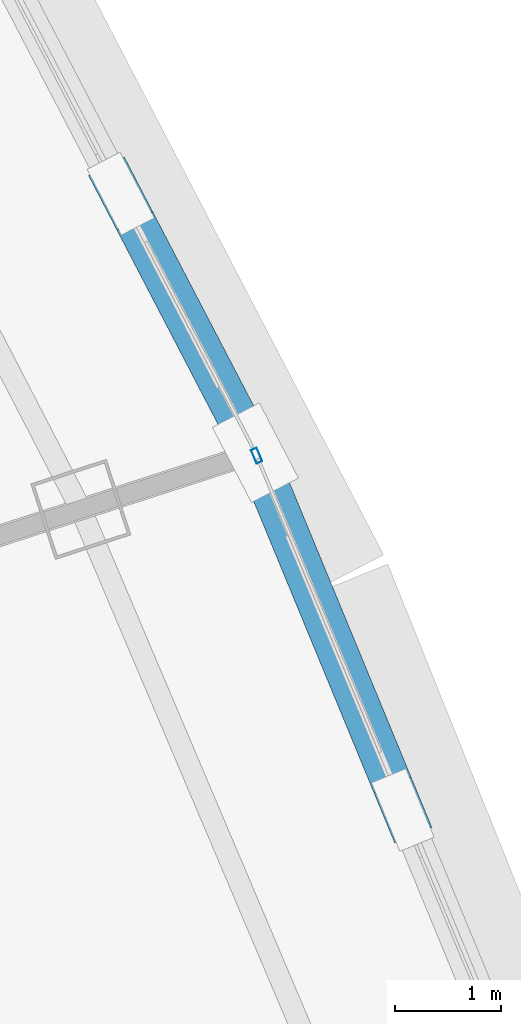
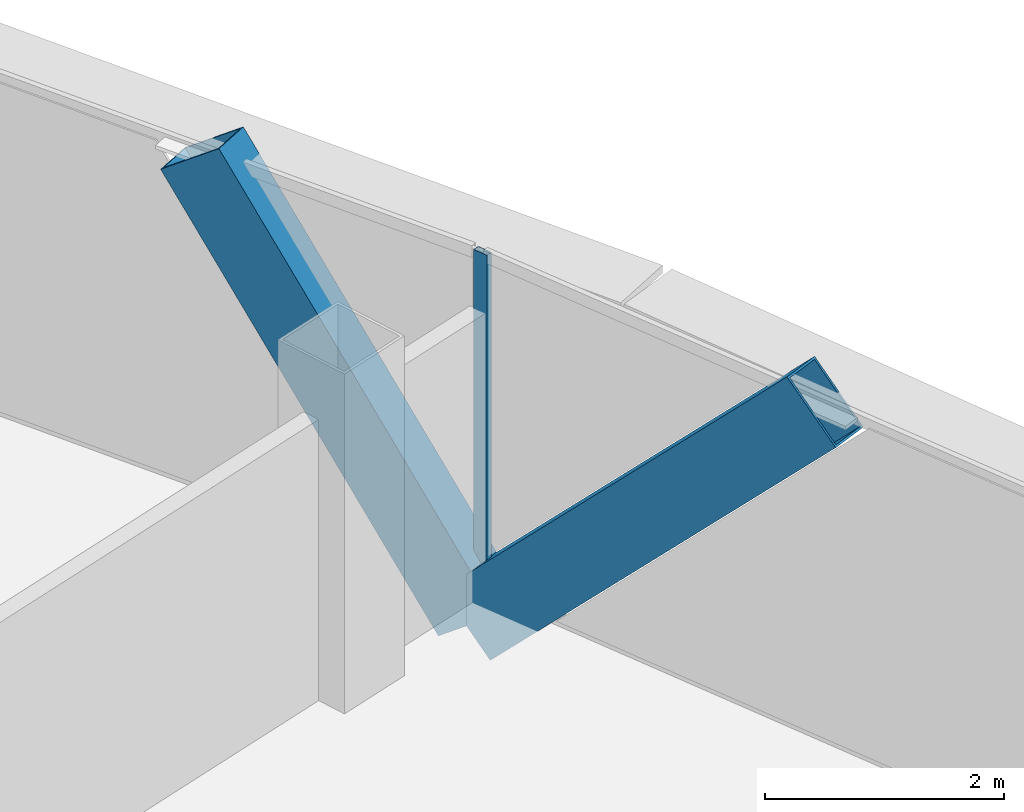
# One storey, part 17 of 35: 3 members, 1 element without a shape of its own.
"""IFC4 building model written with IfcOpenShell, lengths in metres."""

from ifc_helpers import new_model, si_unit, direction, frame, origin, origin_2d, place, context, subcontext, project, spatial, hollow_rectangle, extrude, source, transform, mapped, material, layer, layer_set, material_profile, profile_set, type_object, element, aggregate, save


model = new_model("IFC4")

# Units and contexts
model_context = context("Model", 3, precision=1e-05, world=origin(), true_north=direction((0.0, 1.0)))
body_context = subcontext(model_context, "Body", "Model", "MODEL_VIEW")
ifc_project = project(units=[si_unit("LENGTHUNIT", "METRE"), si_unit("AREAUNIT", "SQUARE_METRE"), si_unit("VOLUMEUNIT", "CUBIC_METRE"), si_unit("PLANEANGLEUNIT", "RADIAN"), si_unit("MASSUNIT", "GRAM", prefix="KILO"), si_unit("THERMODYNAMICTEMPERATUREUNIT", "KELVIN"), si_unit("POWERUNIT", "WATT")], contexts=[model_context])

# Site, building, storey
site_placement = place(None, origin())
site = spatial("IfcSite", under=ifc_project, at=site_placement, CompositionType="ELEMENT")
building_placement = place(site_placement, origin())
building = spatial("IfcBuilding", under=site, at=building_placement, Name="Yunzhuo Pagoda Commons", CompositionType="ELEMENT")
storey_placement = place(building_placement, frame((0.0, 0.0, 303.669921875)))
storey = spatial("IfcBuildingStorey", under=building, at=storey_placement, Name="L76", CompositionType="ELEMENT", Elevation=303.669921875)

# Members
ifc_material_1 = material(Name="Structural steel Q355B", Category="steel")
ifc_material_profile_1 = material_profile(ifc_material_1, hollow_rectangle(XDim=0.3798828125, YDim=0.719970703125, WallThickness=0.02001953125, at=origin_2d()), Name="Structural steel Q355B")
ifc_profile_set_1 = profile_set([ifc_material_profile_1], Name="Structural steel Q355B")
member_type_1 = type_object("IfcMemberType", Name="M-DL3 Brace BOX 720x380x20", PredefinedType="BRACE", material=ifc_profile_set_1)
shared_shape_1 = source(origin(), body_context, "Body", "SweptSolid", [
    extrude(hollow_rectangle(XDim=0.3798828125, YDim=0.719970703125, WallThickness=0.02001953125, at=origin_2d()), origin(), (0.0, 0.0, 1.0), 5.216796875),
])
member_1_placement = place(storey_placement, frame((72.949951171875, 41.806640625, -0.260009765625), z_axis=(0.266701220847, -0.646278971731, 0.714978286032), x_axis=(0.924382550645, 0.38146677452, 0.0)))
element("IfcMember", 1, at=member_1_placement, inside=storey, type_object=member_type_1, Name="L76 facade diamond brace F2.1R", PredefinedType="BRACE", context=body_context, shape_type="MappedRepresentation", body=[
    mapped(shared_shape_1, transform((0.0, 0.0, 0.0), scale=1.0)),
])
shared_shape_2 = source(origin(), body_context, "Body", "SweptSolid", [
    extrude(hollow_rectangle(XDim=0.3798828125, YDim=0.719970703125, WallThickness=0.02001953125, at=origin_2d()), origin(), (0.0, 0.0, 1.0), 4.637451171875),
])
member_2_placement = place(storey_placement, frame((72.949951171875, 41.806640625, -0.260009765625), z_axis=(-0.274229639101, 0.527137910601, 0.804315689419), x_axis=(-0.887135553704, -0.461508948292, 0.0)))
element("IfcMember", 2, at=member_2_placement, inside=storey, type_object=member_type_1, Name="L76 facade diamond brace F2.2L", PredefinedType="BRACE", context=body_context, shape_type="MappedRepresentation", body=[
    mapped(shared_shape_2, transform((0.0, 0.0, 0.0), scale=1.0)),
])

# Curtain wall, member
ifc_material_2 = material(Name="Anodized aluminium 6063-T6", Category="aluminium")
ifc_layer = layer(ifc_material_2, 0.139892578125)
ifc_layer_set = layer_set([ifc_layer], Name="Anodized aluminium 6063-T6")
curtain_wall_type = type_object("IfcCurtainWallType", Name="CW-HI High-Zone Ribbon Curtain Wall", PredefinedType="NOTDEFINED", material=ifc_layer_set)
curtain_wall_placement = place(storey_placement, origin())
curtain_wall = element("IfcCurtainWall", 3, at=curtain_wall_placement, inside=storey, type_object=curtain_wall_type, Name="L76 curtain wall CW-L76-F2B2", PredefinedType="NOTDEFINED")
ifc_material_profile_2 = material_profile(ifc_material_2, hollow_rectangle(XDim=0.06005859375, YDim=0.139892578125, WallThickness=0.00341796875, at=origin_2d()), Name="Anodized aluminium 6063-T6")
ifc_profile_set_2 = profile_set([ifc_material_profile_2], Name="Anodized aluminium 6063-T6")
member_type_2 = type_object("IfcMemberType", Name="CW-HI-M Mullion RHS 140x60x3.5", PredefinedType="MULLION", material=ifc_profile_set_2)
shared_shape_3 = source(origin(), body_context, "Body", "SweptSolid", [
    extrude(hollow_rectangle(XDim=0.06005859375, YDim=0.139892578125, WallThickness=0.00341796875, at=origin_2d()), origin(), (0.0, 0.0, 1.0), 3.469970703125),
])
member_3_placement = place(storey_placement, frame((72.961669921875, 41.779052734375, 0.0), z_axis=(0.0, 0.0, 1.0), x_axis=(-0.922876210298, -0.385096741697, 0.0)))
member_3 = element("IfcMember", 4, at=member_3_placement, type_object=member_type_2, Name="CW mullion 2", PredefinedType="MULLION", context=body_context, shape_type="MappedRepresentation", body=[
    mapped(shared_shape_3, transform((0.0, 0.0, 0.0), scale=1.0)),
])
aggregate(curtain_wall, [member_3])

save(model, "model.ifc")
